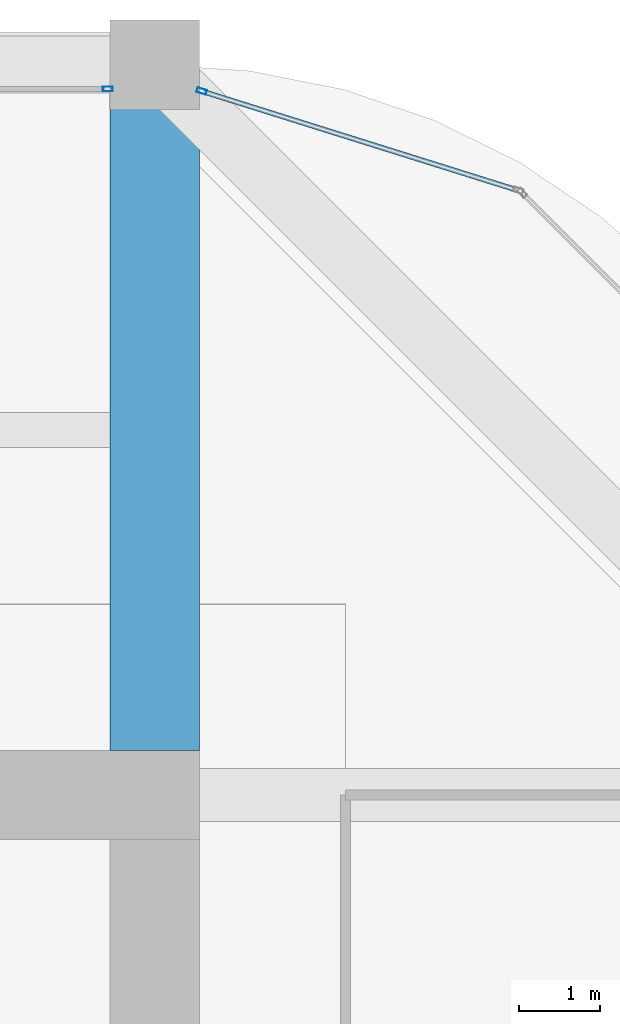
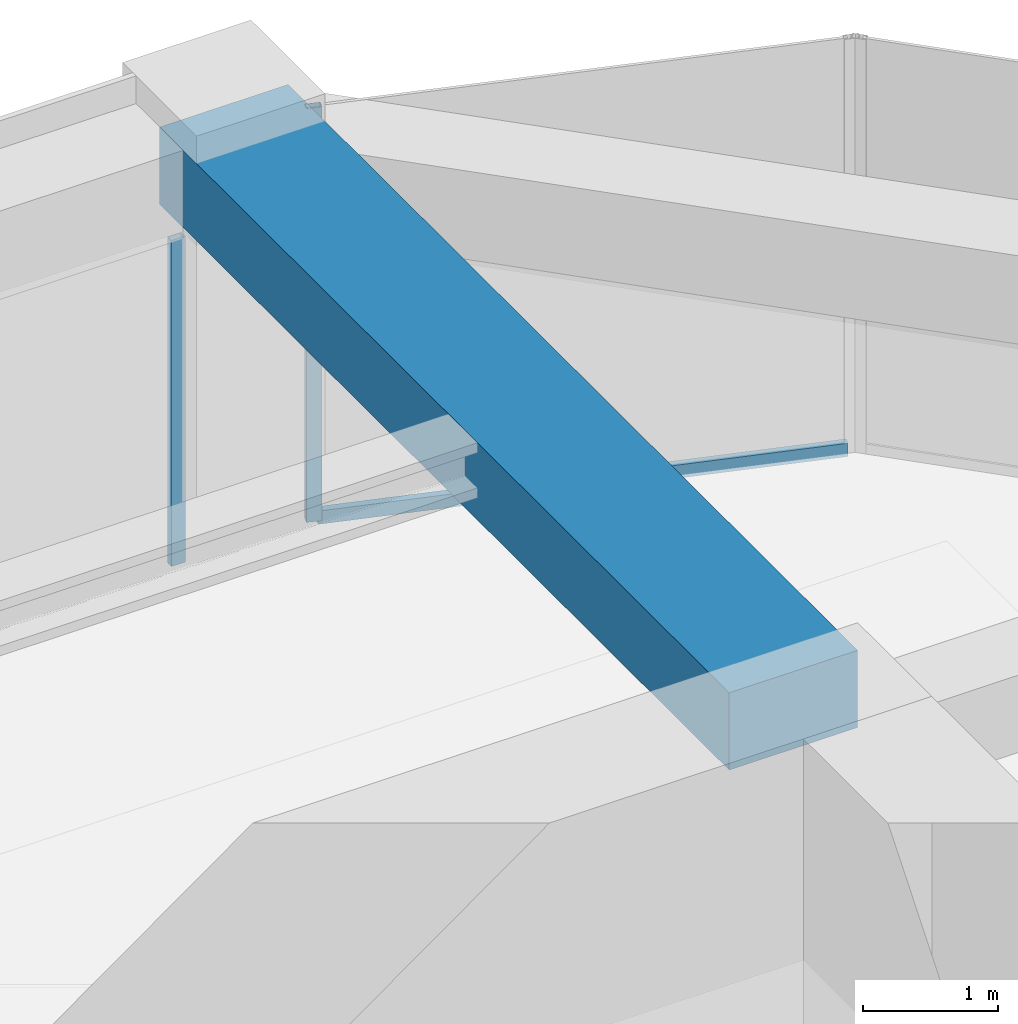
# One storey, part 37 of 45: 3 members, 1 beam, 2 elements without a shape of their own.
"""IFC4 building model written with IfcOpenShell, lengths in metres."""

from ifc_helpers import new_model, si_unit, direction, frame, origin, origin_2d, place, context, subcontext, project, spatial, rectangle, hollow_rectangle, extrude, material, material_profile, profile_set, type_object, element, aggregate, save


model = new_model("IFC4")

# Units and contexts
model_context = context("Model", 3, precision=1e-05, world=origin(), true_north=direction((0.0, 1.0)))
body_context = subcontext(model_context, "Body", "Model", "MODEL_VIEW")
ifc_project = project(units=[si_unit("LENGTHUNIT", "METRE"), si_unit("AREAUNIT", "SQUARE_METRE"), si_unit("VOLUMEUNIT", "CUBIC_METRE"), si_unit("PLANEANGLEUNIT", "RADIAN"), si_unit("MASSUNIT", "GRAM", prefix="KILO")], contexts=[model_context])

# Site, building, storey
site_placement = place(None, origin())
site = spatial("IfcSite", under=ifc_project, at=site_placement, CompositionType="ELEMENT")
building_placement = place(site_placement, origin())
building = spatial("IfcBuilding", under=site, at=building_placement, Name="Zorevar Civic Tower", CompositionType="ELEMENT")
storey_placement = place(building_placement, frame((0.0, 0.0, 303.39990234375)))
storey = spatial("IfcBuildingStorey", under=building, at=storey_placement, Name="L74", CompositionType="ELEMENT", Elevation=303.39990234375)

# Beam
ifc_material_1 = material(Name="Concrete C50/60", Category="concrete")
ifc_material_profile_1 = material_profile(ifc_material_1, rectangle(XDim=1.10009765625, YDim=0.699951171875, at=origin_2d()), Name="RC 1100x700")
ifc_profile_set_1 = profile_set([ifc_material_profile_1], Name="Concrete C50/60")
beam_type = type_object("IfcBeamType", Name="Beam RC 1100x700", PredefinedType="BEAM", material=ifc_profile_set_1)
beam_placement = place(storey_placement, frame((45.0, 36.550048828125, 3.400146484375), z_axis=(0.0, 1.0, 0.0), x_axis=(-1.0, 0.0, 0.0)))
element("IfcBeam", 1, at=beam_placement, inside=storey, type_object=beam_type, Name="Girder L75", PredefinedType="BEAM", context=body_context, shape_type="SweptSolid", body=[
    extrude(rectangle(XDim=1.10009765625, YDim=0.699951171875, at=origin_2d()), origin(), (0.0, 0.0, 1.0), 8.449951171875),
])

# Curtain wall, member
ifc_material_2 = material(Name="Dark grey solar-control glass in black aluminium frame", Category="aluminium")
curtain_wall_type = type_object("IfcCurtainWallType", Name="Curtain wall CW5 top zone", PredefinedType="NOTDEFINED", material=ifc_material_2)
curtain_wall_1_placement = place(storey_placement, origin())
curtain_wall_1 = element("IfcCurtainWall", 2, at=curtain_wall_1_placement, inside=storey, type_object=curtain_wall_type, Name="CW5 L74", PredefinedType="NOTDEFINED")
ifc_material_3 = material(Name="Aluminium, black anodised", Category="aluminium")
ifc_material_profile_2 = material_profile(ifc_material_3, hollow_rectangle(XDim=0.06005859375, YDim=0.1201171875, WallThickness=0.0029296875, at=origin_2d()), Name="AL 120x60x3")
ifc_profile_set_2 = profile_set([ifc_material_profile_2], Name="Aluminium, black anodised")
member_type_1 = type_object("IfcMemberType", Name="CW5 mullion AL 120x60x3", PredefinedType="MULLION", material=ifc_profile_set_2)
member_1_placement = place(storey_placement, frame((44.419921875, 44.699951171875, 0.0), z_axis=(0.0, 0.0, 1.0), x_axis=(0.0, 1.0, 0.0)))
member_1 = element("IfcMember", 3, at=member_1_placement, type_object=member_type_1, Name="CW5 mullion 3", PredefinedType="MULLION", context=body_context, shape_type="SweptSolid", body=[
    extrude(hollow_rectangle(XDim=0.06005859375, YDim=0.1201171875, WallThickness=0.0029296875, at=origin_2d()), origin(), (0.0, 0.0, 1.0), 2.9501953125),
])
aggregate(curtain_wall_1, [member_1])

# Curtain wall, members
curtain_wall_2_placement = place(storey_placement, origin())
curtain_wall_2 = element("IfcCurtainWall", 4, at=curtain_wall_2_placement, inside=storey, type_object=curtain_wall_type, Name="CW5 L74", PredefinedType="NOTDEFINED")
member_2_placement = place(storey_placement, frame((45.57861328125, 44.673583984375, 0.0), z_axis=(0.0, 0.0, 1.0), x_axis=(-0.299317920238, -0.954153437674, 0.0)))
member_2 = element("IfcMember", 5, at=member_2_placement, type_object=member_type_1, Name="CW5 mullion 2", PredefinedType="MULLION", context=body_context, shape_type="SweptSolid", body=[
    extrude(hollow_rectangle(XDim=0.06005859375, YDim=0.1201171875, WallThickness=0.0029296875, at=origin_2d()), origin(), (0.0, 0.0, 1.0), 3.75),
])
ifc_material_4 = material(Name="Aluminium, black anodised", Category="aluminium")
ifc_material_profile_3 = material_profile(ifc_material_4, hollow_rectangle(XDim=0.06005859375, YDim=0.1201171875, WallThickness=0.0029296875, at=origin_2d()), Name="AL 120x60x3")
ifc_profile_set_3 = profile_set([ifc_material_profile_3], Name="Aluminium, black anodised")
member_type_2 = type_object("IfcMemberType", Name="CW5 transom AL 120x60x3", PredefinedType="USERDEFINED", material=ifc_profile_set_3)
member_3_placement = place(storey_placement, frame((49.45068359375, 43.458984375, 0.030029296875), z_axis=(-0.954163457351, 0.299285978047, 0.0), x_axis=(-0.299285978047, -0.954163457351, 0.0)))
member_3 = element("IfcMember", 6, at=member_3_placement, type_object=member_type_2, Name="CW5 sill transom", ObjectType="TRANSOM", PredefinedType="USERDEFINED", context=body_context, shape_type="SweptSolid", body=[
    extrude(hollow_rectangle(XDim=0.06005859375, YDim=0.1201171875, WallThickness=0.0029296875, at=origin_2d()), origin(), (0.0, 0.0, 1.0), 4.028076171875),
])
aggregate(curtain_wall_2, [member_2, member_3])

save(model, "model.ifc")
